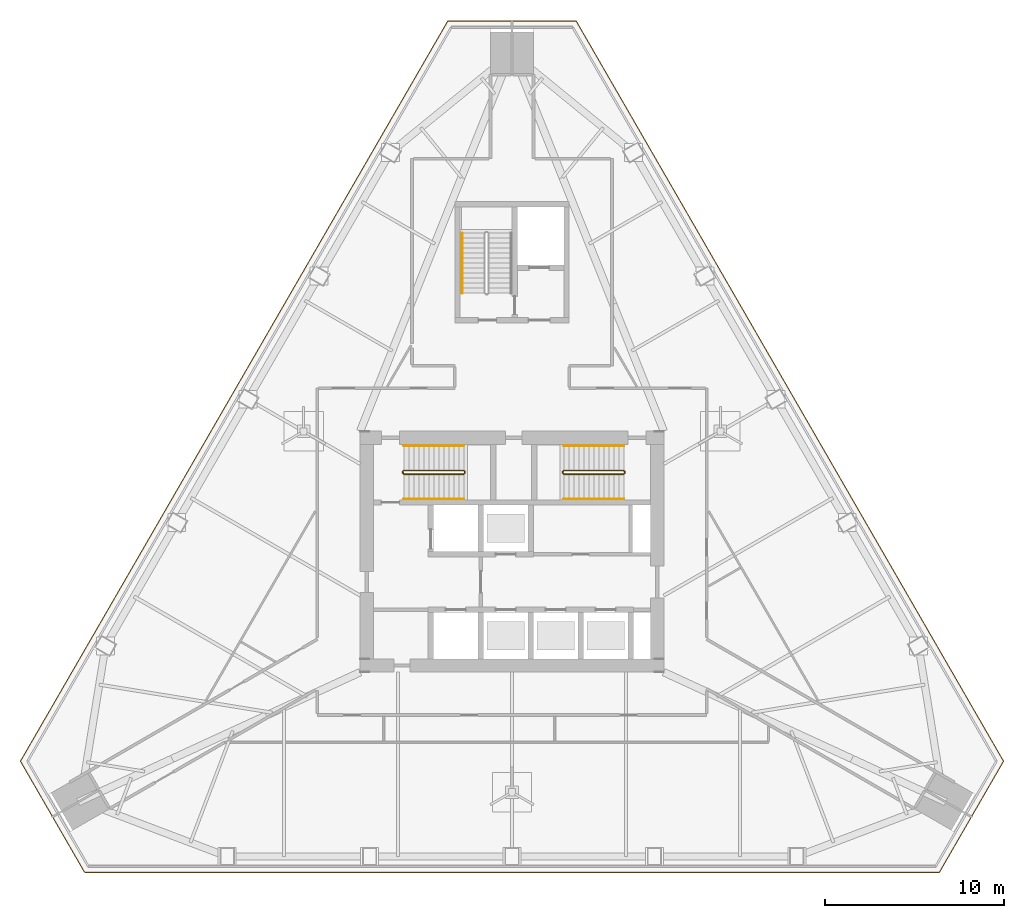
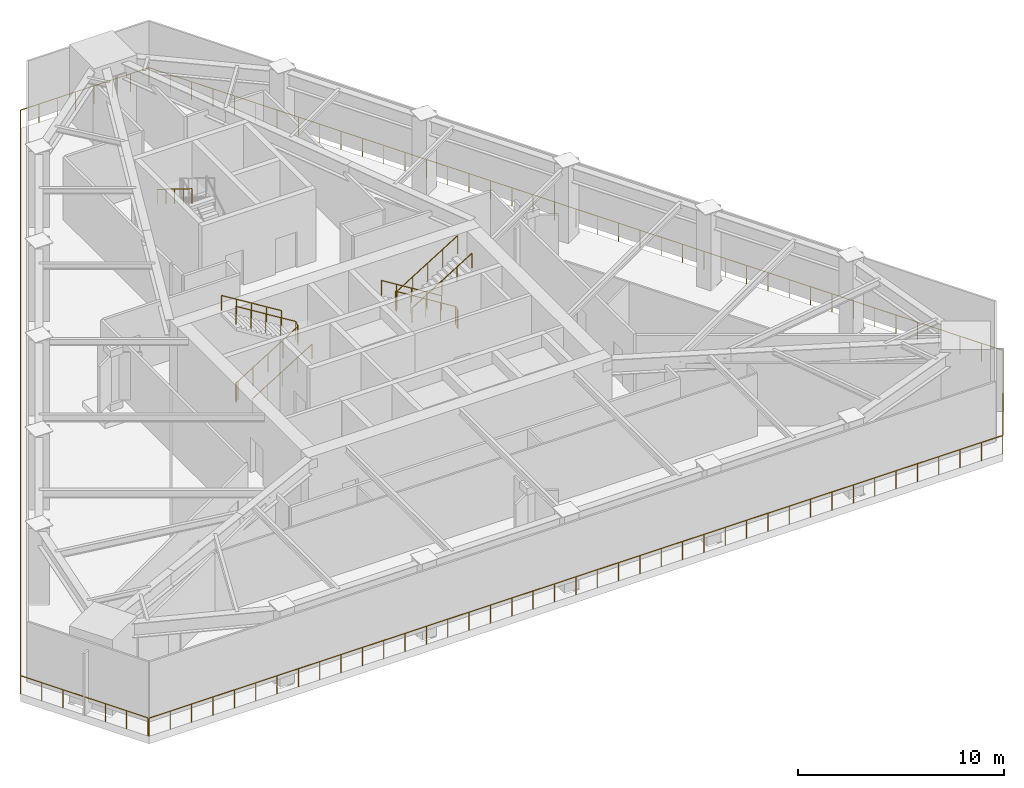
# One storey, part 6 of 9: 8 railings.
"""IFC4 building model written with IfcOpenShell, lengths in metres."""

from ifc_helpers import new_model, si_unit, direction, frame, origin, origin_2d, place, context, subcontext, project, spatial, circle, extrude, material, type_object, element, save


model = new_model("IFC4")

# Units and contexts
model_context = context("Model", 3, precision=1e-05, world=origin(), true_north=direction((0.0, 1.0)))
body_context = subcontext(model_context, "Body", "Model", "MODEL_VIEW")
ifc_project = project(units=[si_unit("LENGTHUNIT", "METRE"), si_unit("AREAUNIT", "SQUARE_METRE"), si_unit("VOLUMEUNIT", "CUBIC_METRE"), si_unit("PLANEANGLEUNIT", "RADIAN"), si_unit("MASSUNIT", "GRAM", prefix="KILO")], contexts=[model_context])

# Site, building, storey
site_placement = place(None, origin())
site = spatial("IfcSite", under=ifc_project, at=site_placement, CompositionType="ELEMENT")
building_placement = place(site_placement, origin())
building = spatial("IfcBuilding", under=site, at=building_placement, Name="Firuza Gate Tower and Library", CompositionType="ELEMENT")
storey_placement = place(building_placement, frame((0.0, 0.0, 252.10009765625)))
storey = spatial("IfcBuildingStorey", under=building, at=storey_placement, Name="L59", CompositionType="ELEMENT", Elevation=252.10009765625)

# Railings
ifc_material_1 = material(Name="Steel S355", Category="steel")
railing_type_1 = type_object("IfcRailingType", Name="Stair guard 1100", PredefinedType="GUARDRAIL", material=ifc_material_1)
railing_1_placement = place(storey_placement, frame((68.889892578125, 79.389892578125, 0.0)))
element("IfcRailing", 1, at=railing_1_placement, inside=storey, type_object=railing_type_1, Name="L59 ST1 stair guard 1", PredefinedType="GUARDRAIL", context=body_context, shape_type="SweptSolid", body=[
    extrude(circle(Radius=0.02392578125, at=origin_2d()), frame((0.0, 0.0, 1.076171875), z_axis=(0.0, 1.0, 0.0), x_axis=(-1.0, 0.0, 0.0)), (0.0, 0.0, 1.0), 0.10009765625),
    extrude(circle(Radius=0.02392578125, at=origin_2d()), frame((0.0, 0.10009765625, 1.076171875), z_axis=(0.213529850563, -0.639547942662, 0.73850080024), x_axis=(0.948528701346, 0.316691178788, 0.0)), (0.0, 0.0, 1.0), 0.234375),
    extrude(circle(Radius=0.02392578125, at=origin_2d()), frame((0.050048828125, -0.0498046875, 1.2490234375), z_axis=(0.850623216509, 0.0, 0.525775754039), x_axis=(0.0, 1.0, 0.0)), (0.0, 0.0, 1.0), 3.9501953125),
    extrude(circle(Radius=0.02392578125, at=origin_2d()), frame((3.41015625, -0.0498046875, 3.326171875), z_axis=(0.708833529934, 0.705375805398, 0.0), x_axis=(-0.705375805398, 0.708833529934, 0.0)), (0.0, 0.0, 1.0), 0.070556640625),
    extrude(circle(Radius=0.02392578125, at=origin_2d()), frame((3.460205078125, 0.0, 3.326171875), z_axis=(0.0, 1.0, 0.0), x_axis=(-1.0, 0.0, 0.0)), (0.0, 0.0, 1.0), 0.10009765625),
    extrude(circle(Radius=0.02392578125, at=origin_2d()), frame((3.460205078125, 0.10009765625, 3.326171875), z_axis=(-0.267629722418, 0.267629722418, 0.925607186314), x_axis=(-0.707106781187, -0.707106781187, 0.0)), (0.0, 0.0, 1.0), 0.18701171875),
    extrude(circle(Radius=0.02392578125, at=origin_2d()), frame((3.41015625, 0.150146484375, 3.4990234375), z_axis=(-0.850623216509, 0.0, 0.525775754039), x_axis=(0.0, -1.0, 0.0)), (0.0, 0.0, 1.0), 3.9501953125),
    extrude(circle(Radius=0.02099609375, at=origin_2d()), origin(), (0.0, 0.0, 1.0), 1.052001953125),
    extrude(circle(Radius=0.02099609375, at=origin_2d()), frame((0.0, 0.10009765625, 0.0)), (0.0, 0.0, 1.0), 1.052001953125),
    extrude(circle(Radius=0.02099609375, at=origin_2d()), frame((0.050048828125, -0.0498046875, 0.173095703125)), (0.0, 0.0, 1.0), 1.052001953125),
    extrude(circle(Radius=0.02099609375, at=origin_2d()), frame((0.89013671875, -0.0498046875, 0.6923828125)), (0.0, 0.0, 1.0), 1.052001953125),
    extrude(circle(Radius=0.02099609375, at=origin_2d()), frame((1.72998046875, -0.0498046875, 1.21142578125)), (0.0, 0.0, 1.0), 1.052001953125),
    extrude(circle(Radius=0.02099609375, at=origin_2d()), frame((2.570068359375, -0.0498046875, 1.730712890625)), (0.0, 0.0, 1.0), 1.052001953125),
    extrude(circle(Radius=0.02099609375, at=origin_2d()), frame((3.41015625, -0.0498046875, 2.25)), (0.0, 0.0, 1.0), 1.052001953125),
    extrude(circle(Radius=0.02099609375, at=origin_2d()), frame((3.460205078125, 0.0, 2.25)), (0.0, 0.0, 1.0), 1.052001953125),
    extrude(circle(Radius=0.02099609375, at=origin_2d()), frame((3.460205078125, 0.10009765625, 2.25)), (0.0, 0.0, 1.0), 1.052001953125),
    extrude(circle(Radius=0.02099609375, at=origin_2d()), frame((3.41015625, 0.150146484375, 2.423095703125)), (0.0, 0.0, 1.0), 1.052001953125),
    extrude(circle(Radius=0.02099609375, at=origin_2d()), frame((2.570068359375, 0.150146484375, 2.9423828125)), (0.0, 0.0, 1.0), 1.052001953125),
    extrude(circle(Radius=0.02099609375, at=origin_2d()), frame((1.72998046875, 0.150146484375, 3.46142578125)), (0.0, 0.0, 1.0), 1.052001953125),
    extrude(circle(Radius=0.02099609375, at=origin_2d()), frame((0.89013671875, 0.150146484375, 3.980712890625)), (0.0, 0.0, 1.0), 1.052001953125),
    extrude(circle(Radius=0.02099609375, at=origin_2d()), frame((0.050048828125, 0.150146484375, 4.5)), (0.0, 0.0, 1.0), 1.052001953125),
])
railing_2_placement = place(storey_placement, frame((81.31005859375, 79.489990234375, 0.0)))
element("IfcRailing", 2, at=railing_2_placement, inside=storey, type_object=railing_type_1, Name="L59 ST2 stair guard 1", PredefinedType="GUARDRAIL", context=body_context, shape_type="SweptSolid", body=[
    extrude(circle(Radius=0.02392578125, at=origin_2d()), frame((0.0, 0.0, 1.076171875), z_axis=(0.0, -1.0, 0.0), x_axis=(1.0, 0.0, 0.0)), (0.0, 0.0, 1.0), 0.10009765625),
    extrude(circle(Radius=0.02392578125, at=origin_2d()), frame((0.0, -0.10009765625, 1.076171875), z_axis=(-0.213387632126, 0.640162896378, 0.738008932572), x_axis=(-0.948683298051, -0.316227766017, 0.0)), (0.0, 0.0, 1.0), 0.234619140625),
    extrude(circle(Radius=0.02392578125, at=origin_2d()), frame((-0.050048828125, 0.050048828125, 1.2490234375), z_axis=(-0.850623216509, 0.0, 0.525775754039), x_axis=(0.0, -1.0, 0.0)), (0.0, 0.0, 1.0), 3.9501953125),
    extrude(circle(Radius=0.02392578125, at=origin_2d()), frame((-3.41015625, 0.050048828125, 3.326171875), z_axis=(-0.705375805398, -0.708833529934, 0.0), x_axis=(0.708833529934, -0.705375805398, 0.0)), (0.0, 0.0, 1.0), 0.070556640625),
    extrude(circle(Radius=0.02392578125, at=origin_2d()), frame((-3.4599609375, 0.0, 3.326171875), z_axis=(0.0, -1.0, 0.0), x_axis=(1.0, 0.0, 0.0)), (0.0, 0.0, 1.0), 0.10009765625),
    extrude(circle(Radius=0.02392578125, at=origin_2d()), frame((-3.4599609375, -0.10009765625, 3.326171875), z_axis=(0.26651005591, -0.26651005591, 0.926253086471), x_axis=(0.707106781187, 0.707106781187, 0.0)), (0.0, 0.0, 1.0), 0.186767578125),
    extrude(circle(Radius=0.02392578125, at=origin_2d()), frame((-3.41015625, -0.14990234375, 3.4990234375), z_axis=(0.850623216509, 0.0, 0.525775754039), x_axis=(0.0, 1.0, 0.0)), (0.0, 0.0, 1.0), 3.9501953125),
    extrude(circle(Radius=0.02099609375, at=origin_2d()), origin(), (0.0, 0.0, 1.0), 1.052001953125),
    extrude(circle(Radius=0.02099609375, at=origin_2d()), frame((0.0, -0.10009765625, 0.0)), (0.0, 0.0, 1.0), 1.052001953125),
    extrude(circle(Radius=0.02099609375, at=origin_2d()), frame((-0.050048828125, 0.050048828125, 0.173095703125)), (0.0, 0.0, 1.0), 1.052001953125),
    extrude(circle(Radius=0.02099609375, at=origin_2d()), frame((-0.89013671875, 0.050048828125, 0.6923828125)), (0.0, 0.0, 1.0), 1.052001953125),
    extrude(circle(Radius=0.02099609375, at=origin_2d()), frame((-1.72998046875, 0.050048828125, 1.21142578125)), (0.0, 0.0, 1.0), 1.052001953125),
    extrude(circle(Radius=0.02099609375, at=origin_2d()), frame((-2.570068359375, 0.050048828125, 1.730712890625)), (0.0, 0.0, 1.0), 1.052001953125),
    extrude(circle(Radius=0.02099609375, at=origin_2d()), frame((-3.41015625, 0.050048828125, 2.25)), (0.0, 0.0, 1.0), 1.052001953125),
    extrude(circle(Radius=0.02099609375, at=origin_2d()), frame((-3.4599609375, 0.0, 2.25)), (0.0, 0.0, 1.0), 1.052001953125),
    extrude(circle(Radius=0.02099609375, at=origin_2d()), frame((-3.4599609375, -0.10009765625, 2.25)), (0.0, 0.0, 1.0), 1.052001953125),
    extrude(circle(Radius=0.02099609375, at=origin_2d()), frame((-3.41015625, -0.14990234375, 2.423095703125)), (0.0, 0.0, 1.0), 1.052001953125),
    extrude(circle(Radius=0.02099609375, at=origin_2d()), frame((-2.570068359375, -0.14990234375, 2.9423828125)), (0.0, 0.0, 1.0), 1.052001953125),
    extrude(circle(Radius=0.02099609375, at=origin_2d()), frame((-1.72998046875, -0.14990234375, 3.46142578125)), (0.0, 0.0, 1.0), 1.052001953125),
    extrude(circle(Radius=0.02099609375, at=origin_2d()), frame((-0.89013671875, -0.14990234375, 3.980712890625)), (0.0, 0.0, 1.0), 1.052001953125),
    extrude(circle(Radius=0.02099609375, at=origin_2d()), frame((-0.050048828125, -0.14990234375, 4.5)), (0.0, 0.0, 1.0), 1.052001953125),
])
ifc_material_2 = material(Name="Steel S355", Category="steel")
railing_type_2 = type_object("IfcRailingType", Name="Stair handrail 900", PredefinedType="HANDRAIL", material=ifc_material_2)
railing_3_placement = place(storey_placement, frame((68.93994140625, 77.949951171875, 0.173095703125)))
element("IfcRailing", 3, at=railing_3_placement, inside=storey, type_object=railing_type_2, Name="L59 ST1 stair handrail 1", PredefinedType="HANDRAIL", context=body_context, shape_type="SweptSolid", body=[
    extrude(circle(Radius=0.02392578125, at=origin_2d()), frame((0.0, 0.0, 0.8759765625), z_axis=(0.850623216509, 0.0, 0.525775754039), x_axis=(0.0, 1.0, 0.0)), (0.0, 0.0, 1.0), 3.9501953125),
    extrude(circle(Radius=0.02099609375, at=origin_2d()), origin(), (0.0, 0.0, 1.0), 0.851806640625),
    extrude(circle(Radius=0.02099609375, at=origin_2d()), frame((0.840087890625, 0.0, 0.519287109375)), (0.0, 0.0, 1.0), 0.851806640625),
    extrude(circle(Radius=0.02099609375, at=origin_2d()), frame((1.68017578125, 0.0, 1.03857421875)), (0.0, 0.0, 1.0), 0.851806640625),
    extrude(circle(Radius=0.02099609375, at=origin_2d()), frame((2.52001953125, 0.0, 1.5576171875)), (0.0, 0.0, 1.0), 0.851806640625),
    extrude(circle(Radius=0.02099609375, at=origin_2d()), frame((3.360107421875, 0.0, 2.076904296875)), (0.0, 0.0, 1.0), 0.851806640625),
])
for number, where, name in (
    (4, (72.300048828125, 80.929931640625, 2.423095703125), "L59 ST1 stair handrail 2"),
    (5, (81.260009765625, 80.929931640625, 0.173095703125), "L59 ST2 stair handrail 1"),
):
    element("IfcRailing", number, at=place(storey_placement, frame(where)), inside=storey, type_object=railing_type_2, Name=name, PredefinedType="HANDRAIL", context=body_context, shape_type="SweptSolid", body=[
        extrude(circle(Radius=0.02392578125, at=origin_2d()), frame((0.0, 0.0, 0.8759765625), z_axis=(-0.850623216509, 0.0, 0.525775754039), x_axis=(0.0, -1.0, 0.0)), (0.0, 0.0, 1.0), 3.9501953125),
        extrude(circle(Radius=0.02099609375, at=origin_2d()), origin(), (0.0, 0.0, 1.0), 0.851806640625),
        extrude(circle(Radius=0.02099609375, at=origin_2d()), frame((-0.840087890625, 0.0, 0.519287109375)), (0.0, 0.0, 1.0), 0.851806640625),
        extrude(circle(Radius=0.02099609375, at=origin_2d()), frame((-1.68017578125, 0.0, 1.03857421875)), (0.0, 0.0, 1.0), 0.851806640625),
        extrude(circle(Radius=0.02099609375, at=origin_2d()), frame((-2.52001953125, 0.0, 1.5576171875)), (0.0, 0.0, 1.0), 0.851806640625),
        extrude(circle(Radius=0.02099609375, at=origin_2d()), frame((-3.360107421875, 0.0, 2.076904296875)), (0.0, 0.0, 1.0), 0.851806640625),
    ])
railing_4_placement = place(storey_placement, frame((77.89990234375, 77.949951171875, 2.423095703125)))
element("IfcRailing", 6, at=railing_4_placement, inside=storey, type_object=railing_type_2, Name="L59 ST2 stair handrail 2", PredefinedType="HANDRAIL", context=body_context, shape_type="SweptSolid", body=[
    extrude(circle(Radius=0.02392578125, at=origin_2d()), frame((0.0, 0.0, 0.8759765625), z_axis=(0.850623216509, 0.0, 0.525775754039), x_axis=(0.0, 1.0, 0.0)), (0.0, 0.0, 1.0), 3.9501953125),
    extrude(circle(Radius=0.02099609375, at=origin_2d()), origin(), (0.0, 0.0, 1.0), 0.851806640625),
    extrude(circle(Radius=0.02099609375, at=origin_2d()), frame((0.840087890625, 0.0, 0.519287109375)), (0.0, 0.0, 1.0), 0.851806640625),
    extrude(circle(Radius=0.02099609375, at=origin_2d()), frame((1.68017578125, 0.0, 1.03857421875)), (0.0, 0.0, 1.0), 0.851806640625),
    extrude(circle(Radius=0.02099609375, at=origin_2d()), frame((2.52001953125, 0.0, 1.5576171875)), (0.0, 0.0, 1.0), 0.851806640625),
    extrude(circle(Radius=0.02099609375, at=origin_2d()), frame((3.360107421875, 0.0, 2.076904296875)), (0.0, 0.0, 1.0), 0.851806640625),
])
railing_5_placement = place(storey_placement, frame((72.2099609375, 92.830078125, 2.423095703125)))
element("IfcRailing", 7, at=railing_5_placement, inside=storey, type_object=railing_type_2, Name="L59 ST3 stair handrail 2", PredefinedType="HANDRAIL", context=body_context, shape_type="SweptSolid", body=[
    extrude(circle(Radius=0.02392578125, at=origin_2d()), frame((0.0, 0.0, 0.8759765625), z_axis=(0.0, -0.850623216509, 0.525775754039), x_axis=(1.0, 0.0, 0.0)), (0.0, 0.0, 1.0), 3.9501953125),
    extrude(circle(Radius=0.02099609375, at=origin_2d()), origin(), (0.0, 0.0, 1.0), 0.851806640625),
    extrude(circle(Radius=0.02099609375, at=origin_2d()), frame((0.0, -0.840087890625, 0.519287109375)), (0.0, 0.0, 1.0), 0.851806640625),
    extrude(circle(Radius=0.02099609375, at=origin_2d()), frame((0.0, -1.68017578125, 1.03857421875)), (0.0, 0.0, 1.0), 0.851806640625),
    extrude(circle(Radius=0.02099609375, at=origin_2d()), frame((0.0, -2.52001953125, 1.5576171875)), (0.0, 0.0, 1.0), 0.851806640625),
    extrude(circle(Radius=0.02099609375, at=origin_2d()), frame((0.0, -3.360107421875, 2.076904296875)), (0.0, 0.0, 1.0), 0.851806640625),
])
ifc_material_3 = material(Name="Steel S355", Category="steel")
railing_type_3 = type_object("IfcRailingType", Name="Wind slot guard 1100", PredefinedType="GUARDRAIL", material=ifc_material_3)
railing_6_placement = place(storey_placement, frame((51.074951171875, 57.030029296875, 0.0)))
element("IfcRailing", 8, at=railing_6_placement, inside=storey, type_object=railing_type_3, Name="Wind slot guard", PredefinedType="GUARDRAIL", context=body_context, shape_type="SweptSolid", body=[
    extrude(circle(Radius=0.02392578125, at=origin_2d()), frame((0.0, 0.0, 1.076171875), z_axis=(1.0, 0.0, 0.0), x_axis=(0.0, 1.0, 0.0)), (0.0, 0.0, 1.0), 47.85009765625),
    extrude(circle(Radius=0.02392578125, at=origin_2d()), frame((47.85009765625, 0.0, 1.076171875), z_axis=(0.499986626058, 0.866033125095, 0.0), x_axis=(-0.866033125095, 0.499986626058, 0.0)), (0.0, 0.0, 1.0), 7.199951171875),
    extrude(circle(Radius=0.02392578125, at=origin_2d()), frame((51.449951171875, 6.2353515625, 1.076171875), z_axis=(-0.499997903209, 0.866026614364, 0.0), x_axis=(-0.866026614364, -0.499997903209, 0.0)), (0.0, 0.0, 1.0), 47.849853515625),
    extrude(circle(Radius=0.02392578125, at=origin_2d()), frame((27.525146484375, 47.674560546875, 1.076171875), z_axis=(-1.0, 0.0, 0.0), x_axis=(0.0, -1.0, 0.0)), (0.0, 0.0, 1.0), 7.2001953125),
    extrude(circle(Radius=0.02392578125, at=origin_2d()), frame((20.324951171875, 47.674560546875, 1.076171875), z_axis=(-0.499997903209, -0.866026614364, 0.0), x_axis=(0.866026614364, -0.499997903209, 0.0)), (0.0, 0.0, 1.0), 47.849853515625),
    extrude(circle(Radius=0.02392578125, at=origin_2d()), frame((-3.599853515625, 6.2353515625, 1.076171875), z_axis=(0.499985888007, -0.866033551194, 0.0), x_axis=(0.866033551194, 0.499985888007, 0.0)), (0.0, 0.0, 1.0), 7.139892578125),
    extrude(circle(Radius=0.02099609375, at=origin_2d()), origin(), (0.0, 0.0, 1.0), 1.052001953125),
    extrude(circle(Radius=0.02099609375, at=origin_2d()), frame((1.1962890625, 0.0, 0.0)), (0.0, 0.0, 1.0), 1.052001953125),
    extrude(circle(Radius=0.02099609375, at=origin_2d()), frame((2.392578125, 0.0, 0.0)), (0.0, 0.0, 1.0), 1.052001953125),
    extrude(circle(Radius=0.02099609375, at=origin_2d()), frame((3.5888671875, 0.0, 0.0)), (0.0, 0.0, 1.0), 1.052001953125),
    extrude(circle(Radius=0.02099609375, at=origin_2d()), frame((4.784912109375, 0.0, 0.0)), (0.0, 0.0, 1.0), 1.052001953125),
    extrude(circle(Radius=0.02099609375, at=origin_2d()), frame((5.981201171875, 0.0, 0.0)), (0.0, 0.0, 1.0), 1.052001953125),
    extrude(circle(Radius=0.02099609375, at=origin_2d()), frame((7.177490234375, 0.0, 0.0)), (0.0, 0.0, 1.0), 1.052001953125),
    extrude(circle(Radius=0.02099609375, at=origin_2d()), frame((8.373779296875, 0.0, 0.0)), (0.0, 0.0, 1.0), 1.052001953125),
    extrude(circle(Radius=0.02099609375, at=origin_2d()), frame((9.570068359375, 0.0, 0.0)), (0.0, 0.0, 1.0), 1.052001953125),
    extrude(circle(Radius=0.02099609375, at=origin_2d()), frame((10.766357421875, 0.0, 0.0)), (0.0, 0.0, 1.0), 1.052001953125),
    extrude(circle(Radius=0.02099609375, at=origin_2d()), frame((11.96240234375, 0.0, 0.0)), (0.0, 0.0, 1.0), 1.052001953125),
    extrude(circle(Radius=0.02099609375, at=origin_2d()), frame((13.15869140625, 0.0, 0.0)), (0.0, 0.0, 1.0), 1.052001953125),
    extrude(circle(Radius=0.02099609375, at=origin_2d()), frame((14.35498046875, 0.0, 0.0)), (0.0, 0.0, 1.0), 1.052001953125),
    extrude(circle(Radius=0.02099609375, at=origin_2d()), frame((15.55126953125, 0.0, 0.0)), (0.0, 0.0, 1.0), 1.052001953125),
    extrude(circle(Radius=0.02099609375, at=origin_2d()), frame((16.74755859375, 0.0, 0.0)), (0.0, 0.0, 1.0), 1.052001953125),
    extrude(circle(Radius=0.02099609375, at=origin_2d()), frame((17.94384765625, 0.0, 0.0)), (0.0, 0.0, 1.0), 1.052001953125),
    extrude(circle(Radius=0.02099609375, at=origin_2d()), frame((19.14013671875, 0.0, 0.0)), (0.0, 0.0, 1.0), 1.052001953125),
    extrude(circle(Radius=0.02099609375, at=origin_2d()), frame((20.336181640625, 0.0, 0.0)), (0.0, 0.0, 1.0), 1.052001953125),
    extrude(circle(Radius=0.02099609375, at=origin_2d()), frame((21.532470703125, 0.0, 0.0)), (0.0, 0.0, 1.0), 1.052001953125),
    extrude(circle(Radius=0.02099609375, at=origin_2d()), frame((22.728759765625, 0.0, 0.0)), (0.0, 0.0, 1.0), 1.052001953125),
    extrude(circle(Radius=0.02099609375, at=origin_2d()), frame((23.925048828125, 0.0, 0.0)), (0.0, 0.0, 1.0), 1.052001953125),
    extrude(circle(Radius=0.02099609375, at=origin_2d()), frame((25.121337890625, 0.0, 0.0)), (0.0, 0.0, 1.0), 1.052001953125),
    extrude(circle(Radius=0.02099609375, at=origin_2d()), frame((26.317626953125, 0.0, 0.0)), (0.0, 0.0, 1.0), 1.052001953125),
    extrude(circle(Radius=0.02099609375, at=origin_2d()), frame((27.513916015625, 0.0, 0.0)), (0.0, 0.0, 1.0), 1.052001953125),
    extrude(circle(Radius=0.02099609375, at=origin_2d()), frame((28.7099609375, 0.0, 0.0)), (0.0, 0.0, 1.0), 1.052001953125),
    extrude(circle(Radius=0.02099609375, at=origin_2d()), frame((29.90625, 0.0, 0.0)), (0.0, 0.0, 1.0), 1.052001953125),
    extrude(circle(Radius=0.02099609375, at=origin_2d()), frame((31.1025390625, 0.0, 0.0)), (0.0, 0.0, 1.0), 1.052001953125),
    extrude(circle(Radius=0.02099609375, at=origin_2d()), frame((32.298828125, 0.0, 0.0)), (0.0, 0.0, 1.0), 1.052001953125),
    extrude(circle(Radius=0.02099609375, at=origin_2d()), frame((33.4951171875, 0.0, 0.0)), (0.0, 0.0, 1.0), 1.052001953125),
    extrude(circle(Radius=0.02099609375, at=origin_2d()), frame((34.69140625, 0.0, 0.0)), (0.0, 0.0, 1.0), 1.052001953125),
    extrude(circle(Radius=0.02099609375, at=origin_2d()), frame((35.8876953125, 0.0, 0.0)), (0.0, 0.0, 1.0), 1.052001953125),
    extrude(circle(Radius=0.02099609375, at=origin_2d()), frame((37.083740234375, 0.0, 0.0)), (0.0, 0.0, 1.0), 1.052001953125),
    extrude(circle(Radius=0.02099609375, at=origin_2d()), frame((38.280029296875, 0.0, 0.0)), (0.0, 0.0, 1.0), 1.052001953125),
    extrude(circle(Radius=0.02099609375, at=origin_2d()), frame((39.476318359375, 0.0, 0.0)), (0.0, 0.0, 1.0), 1.052001953125),
    extrude(circle(Radius=0.02099609375, at=origin_2d()), frame((40.672607421875, 0.0, 0.0)), (0.0, 0.0, 1.0), 1.052001953125),
    extrude(circle(Radius=0.02099609375, at=origin_2d()), frame((41.868896484375, 0.0, 0.0)), (0.0, 0.0, 1.0), 1.052001953125),
    extrude(circle(Radius=0.02099609375, at=origin_2d()), frame((43.065185546875, 0.0, 0.0)), (0.0, 0.0, 1.0), 1.052001953125),
    extrude(circle(Radius=0.02099609375, at=origin_2d()), frame((44.26123046875, 0.0, 0.0)), (0.0, 0.0, 1.0), 1.052001953125),
    extrude(circle(Radius=0.02099609375, at=origin_2d()), frame((45.45751953125, 0.0, 0.0)), (0.0, 0.0, 1.0), 1.052001953125),
    extrude(circle(Radius=0.02099609375, at=origin_2d()), frame((46.65380859375, 0.0, 0.0)), (0.0, 0.0, 1.0), 1.052001953125),
    extrude(circle(Radius=0.02099609375, at=origin_2d()), frame((47.85009765625, 0.0, 0.0)), (0.0, 0.0, 1.0), 1.052001953125),
    extrude(circle(Radius=0.02099609375, at=origin_2d()), frame((48.4501953125, 1.039306640625, 0.0)), (0.0, 0.0, 1.0), 1.052001953125),
    extrude(circle(Radius=0.02099609375, at=origin_2d()), frame((49.050048828125, 2.078369140625, 0.0)), (0.0, 0.0, 1.0), 1.052001953125),
    extrude(circle(Radius=0.02099609375, at=origin_2d()), frame((49.64990234375, 3.11767578125, 0.0)), (0.0, 0.0, 1.0), 1.052001953125),
    extrude(circle(Radius=0.02099609375, at=origin_2d()), frame((50.25, 4.156982421875, 0.0)), (0.0, 0.0, 1.0), 1.052001953125),
    extrude(circle(Radius=0.02099609375, at=origin_2d()), frame((50.85009765625, 5.196044921875, 0.0)), (0.0, 0.0, 1.0), 1.052001953125),
    extrude(circle(Radius=0.02099609375, at=origin_2d()), frame((51.449951171875, 6.2353515625, 0.0)), (0.0, 0.0, 1.0), 1.052001953125),
    extrude(circle(Radius=0.02099609375, at=origin_2d()), frame((50.851806640625, 7.271240234375, 0.0)), (0.0, 0.0, 1.0), 1.052001953125),
    extrude(circle(Radius=0.02099609375, at=origin_2d()), frame((50.253662109375, 8.307373046875, 0.0)), (0.0, 0.0, 1.0), 1.052001953125),
    extrude(circle(Radius=0.02099609375, at=origin_2d()), frame((49.655517578125, 9.34326171875, 0.0)), (0.0, 0.0, 1.0), 1.052001953125),
    extrude(circle(Radius=0.02099609375, at=origin_2d()), frame((49.057373046875, 10.37939453125, 0.0)), (0.0, 0.0, 1.0), 1.052001953125),
    extrude(circle(Radius=0.02099609375, at=origin_2d()), frame((48.45947265625, 11.415283203125, 0.0)), (0.0, 0.0, 1.0), 1.052001953125),
    extrude(circle(Radius=0.02099609375, at=origin_2d()), frame((47.861328125, 12.451171875, 0.0)), (0.0, 0.0, 1.0), 1.052001953125),
    extrude(circle(Radius=0.02099609375, at=origin_2d()), frame((47.26318359375, 13.4873046875, 0.0)), (0.0, 0.0, 1.0), 1.052001953125),
    extrude(circle(Radius=0.02099609375, at=origin_2d()), frame((46.6650390625, 14.523193359375, 0.0)), (0.0, 0.0, 1.0), 1.052001953125),
    extrude(circle(Radius=0.02099609375, at=origin_2d()), frame((46.06689453125, 15.55908203125, 0.0)), (0.0, 0.0, 1.0), 1.052001953125),
    extrude(circle(Radius=0.02099609375, at=origin_2d()), frame((45.46875, 16.59521484375, 0.0)), (0.0, 0.0, 1.0), 1.052001953125),
    extrude(circle(Radius=0.02099609375, at=origin_2d()), frame((44.87060546875, 17.631103515625, 0.0)), (0.0, 0.0, 1.0), 1.052001953125),
    extrude(circle(Radius=0.02099609375, at=origin_2d()), frame((44.2724609375, 18.6669921875, 0.0)), (0.0, 0.0, 1.0), 1.052001953125),
    extrude(circle(Radius=0.02099609375, at=origin_2d()), frame((43.67431640625, 19.703125, 0.0)), (0.0, 0.0, 1.0), 1.052001953125),
    extrude(circle(Radius=0.02099609375, at=origin_2d()), frame((43.076171875, 20.739013671875, 0.0)), (0.0, 0.0, 1.0), 1.052001953125),
    extrude(circle(Radius=0.02099609375, at=origin_2d()), frame((42.47802734375, 21.775146484375, 0.0)), (0.0, 0.0, 1.0), 1.052001953125),
    extrude(circle(Radius=0.02099609375, at=origin_2d()), frame((41.880126953125, 22.81103515625, 0.0)), (0.0, 0.0, 1.0), 1.052001953125),
    extrude(circle(Radius=0.02099609375, at=origin_2d()), frame((41.281982421875, 23.846923828125, 0.0)), (0.0, 0.0, 1.0), 1.052001953125),
    extrude(circle(Radius=0.02099609375, at=origin_2d()), frame((40.683837890625, 24.883056640625, 0.0)), (0.0, 0.0, 1.0), 1.052001953125),
    extrude(circle(Radius=0.02099609375, at=origin_2d()), frame((40.085693359375, 25.9189453125, 0.0)), (0.0, 0.0, 1.0), 1.052001953125),
    extrude(circle(Radius=0.02099609375, at=origin_2d()), frame((39.487548828125, 26.955078125, 0.0)), (0.0, 0.0, 1.0), 1.052001953125),
    extrude(circle(Radius=0.02099609375, at=origin_2d()), frame((38.889404296875, 27.990966796875, 0.0)), (0.0, 0.0, 1.0), 1.052001953125),
    extrude(circle(Radius=0.02099609375, at=origin_2d()), frame((38.291259765625, 29.02685546875, 0.0)), (0.0, 0.0, 1.0), 1.052001953125),
    extrude(circle(Radius=0.02099609375, at=origin_2d()), frame((37.693115234375, 30.06298828125, 0.0)), (0.0, 0.0, 1.0), 1.052001953125),
    extrude(circle(Radius=0.02099609375, at=origin_2d()), frame((37.094970703125, 31.098876953125, 0.0)), (0.0, 0.0, 1.0), 1.052001953125),
    extrude(circle(Radius=0.02099609375, at=origin_2d()), frame((36.4970703125, 32.134765625, 0.0)), (0.0, 0.0, 1.0), 1.052001953125),
    extrude(circle(Radius=0.02099609375, at=origin_2d()), frame((35.89892578125, 33.1708984375, 0.0)), (0.0, 0.0, 1.0), 1.052001953125),
    extrude(circle(Radius=0.02099609375, at=origin_2d()), frame((35.30078125, 34.206787109375, 0.0)), (0.0, 0.0, 1.0), 1.052001953125),
    extrude(circle(Radius=0.02099609375, at=origin_2d()), frame((34.70263671875, 35.24267578125, 0.0)), (0.0, 0.0, 1.0), 1.052001953125),
    extrude(circle(Radius=0.02099609375, at=origin_2d()), frame((34.1044921875, 36.27880859375, 0.0)), (0.0, 0.0, 1.0), 1.052001953125),
    extrude(circle(Radius=0.02099609375, at=origin_2d()), frame((33.50634765625, 37.314697265625, 0.0)), (0.0, 0.0, 1.0), 1.052001953125),
    extrude(circle(Radius=0.02099609375, at=origin_2d()), frame((32.908203125, 38.350830078125, 0.0)), (0.0, 0.0, 1.0), 1.052001953125),
    extrude(circle(Radius=0.02099609375, at=origin_2d()), frame((32.31005859375, 39.38671875, 0.0)), (0.0, 0.0, 1.0), 1.052001953125),
    extrude(circle(Radius=0.02099609375, at=origin_2d()), frame((31.7119140625, 40.422607421875, 0.0)), (0.0, 0.0, 1.0), 1.052001953125),
    extrude(circle(Radius=0.02099609375, at=origin_2d()), frame((31.11376953125, 41.458740234375, 0.0)), (0.0, 0.0, 1.0), 1.052001953125),
    extrude(circle(Radius=0.02099609375, at=origin_2d()), frame((30.515625, 42.49462890625, 0.0)), (0.0, 0.0, 1.0), 1.052001953125),
    extrude(circle(Radius=0.02099609375, at=origin_2d()), frame((29.917724609375, 43.53076171875, 0.0)), (0.0, 0.0, 1.0), 1.052001953125),
    extrude(circle(Radius=0.02099609375, at=origin_2d()), frame((29.319580078125, 44.566650390625, 0.0)), (0.0, 0.0, 1.0), 1.052001953125),
    extrude(circle(Radius=0.02099609375, at=origin_2d()), frame((28.721435546875, 45.6025390625, 0.0)), (0.0, 0.0, 1.0), 1.052001953125),
    extrude(circle(Radius=0.02099609375, at=origin_2d()), frame((28.123291015625, 46.638671875, 0.0)), (0.0, 0.0, 1.0), 1.052001953125),
    extrude(circle(Radius=0.02099609375, at=origin_2d()), frame((27.525146484375, 47.674560546875, 0.0)), (0.0, 0.0, 1.0), 1.052001953125),
    extrude(circle(Radius=0.02099609375, at=origin_2d()), frame((26.49658203125, 47.674560546875, 0.0)), (0.0, 0.0, 1.0), 1.052001953125),
    extrude(circle(Radius=0.02099609375, at=origin_2d()), frame((25.468017578125, 47.674560546875, 0.0)), (0.0, 0.0, 1.0), 1.052001953125),
    extrude(circle(Radius=0.02099609375, at=origin_2d()), frame((24.439453125, 47.674560546875, 0.0)), (0.0, 0.0, 1.0), 1.052001953125),
    extrude(circle(Radius=0.02099609375, at=origin_2d()), frame((23.41064453125, 47.674560546875, 0.0)), (0.0, 0.0, 1.0), 1.052001953125),
    extrude(circle(Radius=0.02099609375, at=origin_2d()), frame((22.382080078125, 47.674560546875, 0.0)), (0.0, 0.0, 1.0), 1.052001953125),
    extrude(circle(Radius=0.02099609375, at=origin_2d()), frame((21.353515625, 47.674560546875, 0.0)), (0.0, 0.0, 1.0), 1.052001953125),
    extrude(circle(Radius=0.02099609375, at=origin_2d()), frame((20.324951171875, 47.674560546875, 0.0)), (0.0, 0.0, 1.0), 1.052001953125),
    extrude(circle(Radius=0.02099609375, at=origin_2d()), frame((19.726806640625, 46.638671875, 0.0)), (0.0, 0.0, 1.0), 1.052001953125),
    extrude(circle(Radius=0.02099609375, at=origin_2d()), frame((19.128662109375, 45.6025390625, 0.0)), (0.0, 0.0, 1.0), 1.052001953125),
    extrude(circle(Radius=0.02099609375, at=origin_2d()), frame((18.530517578125, 44.566650390625, 0.0)), (0.0, 0.0, 1.0), 1.052001953125),
    extrude(circle(Radius=0.02099609375, at=origin_2d()), frame((17.932373046875, 43.53076171875, 0.0)), (0.0, 0.0, 1.0), 1.052001953125),
    extrude(circle(Radius=0.02099609375, at=origin_2d()), frame((17.33447265625, 42.49462890625, 0.0)), (0.0, 0.0, 1.0), 1.052001953125),
    extrude(circle(Radius=0.02099609375, at=origin_2d()), frame((16.736328125, 41.458740234375, 0.0)), (0.0, 0.0, 1.0), 1.052001953125),
    extrude(circle(Radius=0.02099609375, at=origin_2d()), frame((16.13818359375, 40.422607421875, 0.0)), (0.0, 0.0, 1.0), 1.052001953125),
    extrude(circle(Radius=0.02099609375, at=origin_2d()), frame((15.5400390625, 39.38671875, 0.0)), (0.0, 0.0, 1.0), 1.052001953125),
    extrude(circle(Radius=0.02099609375, at=origin_2d()), frame((14.94189453125, 38.350830078125, 0.0)), (0.0, 0.0, 1.0), 1.052001953125),
    extrude(circle(Radius=0.02099609375, at=origin_2d()), frame((14.34375, 37.314697265625, 0.0)), (0.0, 0.0, 1.0), 1.052001953125),
    extrude(circle(Radius=0.02099609375, at=origin_2d()), frame((13.74560546875, 36.27880859375, 0.0)), (0.0, 0.0, 1.0), 1.052001953125),
    extrude(circle(Radius=0.02099609375, at=origin_2d()), frame((13.1474609375, 35.24267578125, 0.0)), (0.0, 0.0, 1.0), 1.052001953125),
    extrude(circle(Radius=0.02099609375, at=origin_2d()), frame((12.54931640625, 34.206787109375, 0.0)), (0.0, 0.0, 1.0), 1.052001953125),
    extrude(circle(Radius=0.02099609375, at=origin_2d()), frame((11.951171875, 33.1708984375, 0.0)), (0.0, 0.0, 1.0), 1.052001953125),
    extrude(circle(Radius=0.02099609375, at=origin_2d()), frame((11.35302734375, 32.134765625, 0.0)), (0.0, 0.0, 1.0), 1.052001953125),
    extrude(circle(Radius=0.02099609375, at=origin_2d()), frame((10.755126953125, 31.098876953125, 0.0)), (0.0, 0.0, 1.0), 1.052001953125),
    extrude(circle(Radius=0.02099609375, at=origin_2d()), frame((10.156982421875, 30.06298828125, 0.0)), (0.0, 0.0, 1.0), 1.052001953125),
    extrude(circle(Radius=0.02099609375, at=origin_2d()), frame((9.558837890625, 29.02685546875, 0.0)), (0.0, 0.0, 1.0), 1.052001953125),
    extrude(circle(Radius=0.02099609375, at=origin_2d()), frame((8.960693359375, 27.990966796875, 0.0)), (0.0, 0.0, 1.0), 1.052001953125),
    extrude(circle(Radius=0.02099609375, at=origin_2d()), frame((8.362548828125, 26.955078125, 0.0)), (0.0, 0.0, 1.0), 1.052001953125),
    extrude(circle(Radius=0.02099609375, at=origin_2d()), frame((7.764404296875, 25.9189453125, 0.0)), (0.0, 0.0, 1.0), 1.052001953125),
    extrude(circle(Radius=0.02099609375, at=origin_2d()), frame((7.166259765625, 24.883056640625, 0.0)), (0.0, 0.0, 1.0), 1.052001953125),
    extrude(circle(Radius=0.02099609375, at=origin_2d()), frame((6.568115234375, 23.846923828125, 0.0)), (0.0, 0.0, 1.0), 1.052001953125),
    extrude(circle(Radius=0.02099609375, at=origin_2d()), frame((5.969970703125, 22.81103515625, 0.0)), (0.0, 0.0, 1.0), 1.052001953125),
    extrude(circle(Radius=0.02099609375, at=origin_2d()), frame((5.3720703125, 21.775146484375, 0.0)), (0.0, 0.0, 1.0), 1.052001953125),
    extrude(circle(Radius=0.02099609375, at=origin_2d()), frame((4.77392578125, 20.739013671875, 0.0)), (0.0, 0.0, 1.0), 1.052001953125),
    extrude(circle(Radius=0.02099609375, at=origin_2d()), frame((4.17578125, 19.703125, 0.0)), (0.0, 0.0, 1.0), 1.052001953125),
    extrude(circle(Radius=0.02099609375, at=origin_2d()), frame((3.57763671875, 18.667236328125, 0.0)), (0.0, 0.0, 1.0), 1.052001953125),
    extrude(circle(Radius=0.02099609375, at=origin_2d()), frame((2.9794921875, 17.631103515625, 0.0)), (0.0, 0.0, 1.0), 1.052001953125),
    extrude(circle(Radius=0.02099609375, at=origin_2d()), frame((2.38134765625, 16.59521484375, 0.0)), (0.0, 0.0, 1.0), 1.052001953125),
    extrude(circle(Radius=0.02099609375, at=origin_2d()), frame((1.783203125, 15.55908203125, 0.0)), (0.0, 0.0, 1.0), 1.052001953125),
    extrude(circle(Radius=0.02099609375, at=origin_2d()), frame((1.18505859375, 14.523193359375, 0.0)), (0.0, 0.0, 1.0), 1.052001953125),
    extrude(circle(Radius=0.02099609375, at=origin_2d()), frame((0.5869140625, 13.4873046875, 0.0)), (0.0, 0.0, 1.0), 1.052001953125),
    extrude(circle(Radius=0.02099609375, at=origin_2d()), frame((-0.01123046875, 12.451171875, 0.0)), (0.0, 0.0, 1.0), 1.052001953125),
    extrude(circle(Radius=0.02099609375, at=origin_2d()), frame((-0.609375, 11.415283203125, 0.0)), (0.0, 0.0, 1.0), 1.052001953125),
    extrude(circle(Radius=0.02099609375, at=origin_2d()), frame((-1.207275390625, 10.37939453125, 0.0)), (0.0, 0.0, 1.0), 1.052001953125),
    extrude(circle(Radius=0.02099609375, at=origin_2d()), frame((-1.805419921875, 9.34326171875, 0.0)), (0.0, 0.0, 1.0), 1.052001953125),
    extrude(circle(Radius=0.02099609375, at=origin_2d()), frame((-2.403564453125, 8.307373046875, 0.0)), (0.0, 0.0, 1.0), 1.052001953125),
    extrude(circle(Radius=0.02099609375, at=origin_2d()), frame((-3.001708984375, 7.271240234375, 0.0)), (0.0, 0.0, 1.0), 1.052001953125),
    extrude(circle(Radius=0.02099609375, at=origin_2d()), frame((-3.599853515625, 6.2353515625, 0.0)), (0.0, 0.0, 1.0), 1.052001953125),
    extrude(circle(Radius=0.02099609375, at=origin_2d()), frame((-3.0048828125, 5.204833984375, 0.0)), (0.0, 0.0, 1.0), 1.052001953125),
    extrude(circle(Radius=0.02099609375, at=origin_2d()), frame((-2.409912109375, 4.17431640625, 0.0)), (0.0, 0.0, 1.0), 1.052001953125),
    extrude(circle(Radius=0.02099609375, at=origin_2d()), frame((-1.81494140625, 3.1435546875, 0.0)), (0.0, 0.0, 1.0), 1.052001953125),
    extrude(circle(Radius=0.02099609375, at=origin_2d()), frame((-1.219970703125, 2.113037109375, 0.0)), (0.0, 0.0, 1.0), 1.052001953125),
    extrude(circle(Radius=0.02099609375, at=origin_2d()), frame((-0.625, 1.08251953125, 0.0)), (0.0, 0.0, 1.0), 1.052001953125),
    extrude(circle(Radius=0.02099609375, at=origin_2d()), frame((-0.030029296875, 0.052001953125, 0.0)), (0.0, 0.0, 1.0), 1.052001953125),
])

save(model, "model.ifc")
